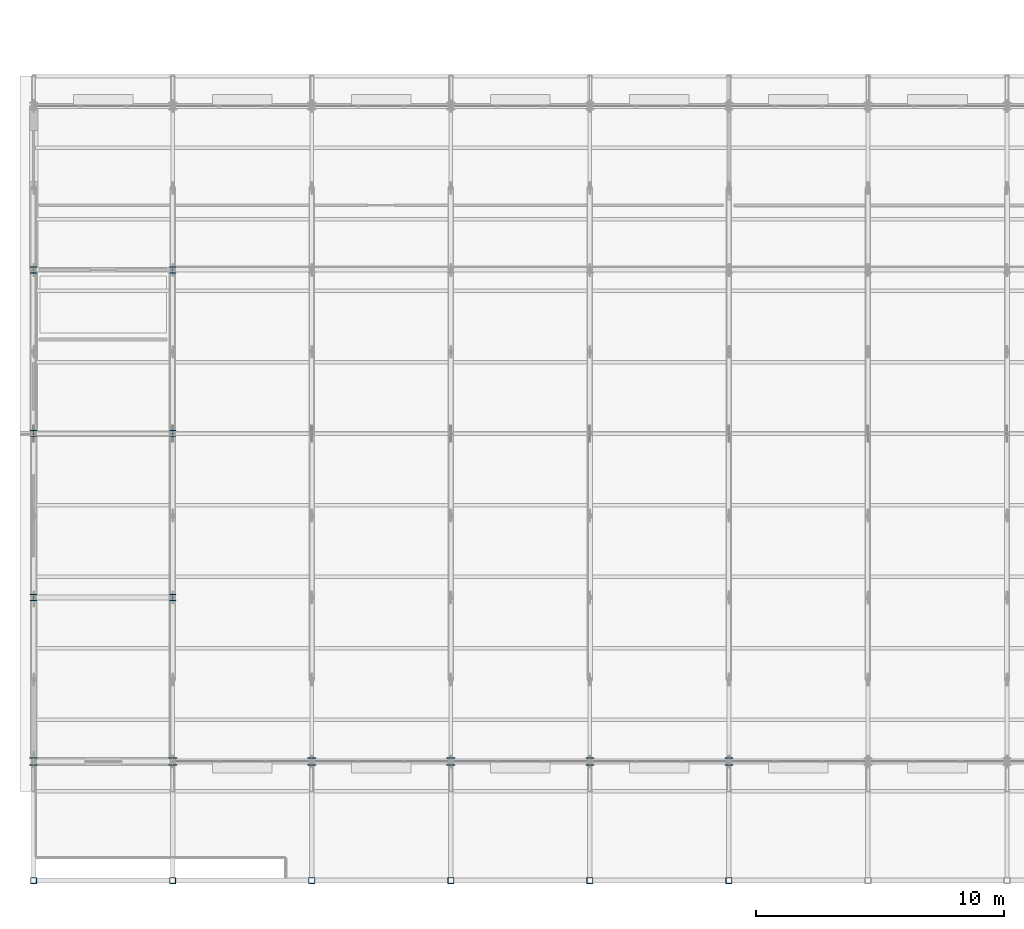
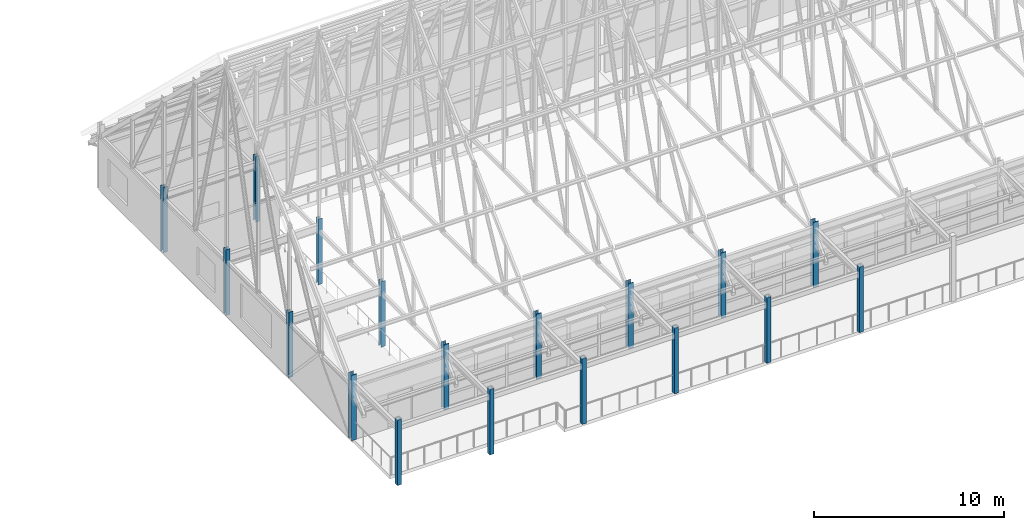
# One storey, part 1 of 144: 18 columns.
"""IFC4 building model written with IfcOpenShell, lengths in metres."""

from ifc_helpers import new_model, si_unit, direction, frame, origin, origin_2d, place, context, subcontext, project, spatial, hollow_rectangle, i_section, extrude, material, material_profile, profile_set, type_object, element, save


model = new_model("IFC4")

# Units and contexts
model_context = context("Model", 3, precision=1e-05, world=origin(), true_north=direction((0.0, 1.0)))
body_context = subcontext(model_context, "Body", "Model", "MODEL_VIEW")
ifc_project = project(units=[si_unit("LENGTHUNIT", "METRE"), si_unit("AREAUNIT", "SQUARE_METRE"), si_unit("VOLUMEUNIT", "CUBIC_METRE"), si_unit("PLANEANGLEUNIT", "RADIAN"), si_unit("MASSUNIT", "GRAM", prefix="KILO")], contexts=[model_context])

# Site, building, storey
site_placement = place(None, origin())
site = spatial("IfcSite", under=ifc_project, at=site_placement, CompositionType="ELEMENT")
building_placement = place(site_placement, origin())
building = spatial("IfcBuilding", under=site, at=building_placement, Name="Trelmorton Wharf Fire Station", CompositionType="ELEMENT")
storey_placement = place(building_placement, frame((0.0, 0.0, 5.39990234375)))
storey = spatial("IfcBuildingStorey", under=building, at=storey_placement, Name="L01", CompositionType="ELEMENT", Elevation=5.39990234375)

# Columns
ifc_material_1 = material(Name="Steel Grade 350", Category="steel")
ifc_material_profile_1 = material_profile(ifc_material_1, i_section(OverallWidth=0.256103515625, OverallDepth=0.260009765625, WebThickness=0.010498046875, FlangeThickness=0.017333984375, FilletRadius=0.0126953125, at=origin_2d()), Name="250UC89.5")
ifc_profile_set_1 = profile_set([ifc_material_profile_1], Name="Steel Grade 350")
column_type_1 = type_object("IfcColumnType", Name="COL_250UC89", PredefinedType="COLUMN", material=ifc_profile_set_1)
for number, where, z_axis, x_axis, name in (
    (1, (0.800048828125, 14.39990234375, 0.0), (0.0, 0.0, 1.0), (1.0, 0.0, 0.0), "COL-L01-0248"),
    (2, (0.800048828125, 21.0, 0.0), (0.0, 0.0, 1.0), (1.0, 0.0, 0.0), "COL-L01-0249"),
    (3, (0.800048828125, 27.60009765625, 0.0), (0.0, 0.0, 1.0), (1.0, 0.0, 0.0), "COL-L01-0250"),
    (4, (6.39990234375, 14.39990234375, 0.0), (0.0, 0.0, 1.0), (1.0, 0.0, 0.0), "COL-L01-0258"),
    (5, (6.39990234375, 21.0, 0.0), (0.0, 0.0, 1.0), (1.0, 0.0, 0.0), "COL-L01-0259"),
    (6, (6.39990234375, 27.60009765625, 0.0), (0.0, 0.0, 1.0), (1.0, 0.0, 0.0), "COL-L01-0260"),
):
    element("IfcColumn", number, at=place(storey_placement, frame(where, z_axis=z_axis, x_axis=x_axis)), inside=storey, type_object=column_type_1, Name=name, PredefinedType="COLUMN", context=body_context, shape_type="SweptSolid", body=[
        extrude(i_section(OverallWidth=0.256103515625, OverallDepth=0.260009765625, WebThickness=0.010498046875, FlangeThickness=0.017333984375, FilletRadius=0.0126953125, at=origin_2d()), origin(), (0.0, 0.0, 1.0), 4.2001953125),
    ])
ifc_material_profile_2 = material_profile(ifc_material_1, i_section(OverallWidth=0.306884765625, OverallDepth=0.31494140625, WebThickness=0.011962890625, FlangeThickness=0.018798828125, FilletRadius=0.0166015625, at=origin_2d()), Name="310UC118")
ifc_profile_set_2 = profile_set([ifc_material_profile_2], Name="Steel Grade 350")
column_type_2 = type_object("IfcColumnType", Name="COL_310UC118", PredefinedType="COLUMN", material=ifc_profile_set_2)
for number, where, z_axis, x_axis, name in (
    (7, (0.800048828125, 7.800048828125, 0.0), (0.0, 0.0, 1.0), (1.0, 0.0, 0.0), "COL-L01-0247"),
    (8, (6.39990234375, 7.800048828125, 0.0), (0.0, 0.0, 1.0), (1.0, 0.0, 0.0), "COL-L01-0257"),
    (9, (12.0, 7.800048828125, 0.0), (0.0, 0.0, 1.0), (1.0, 0.0, 0.0), "COL-L01-0267"),
    (10, (17.60009765625, 7.800048828125, 0.0), (0.0, 0.0, 1.0), (1.0, 0.0, 0.0), "COL-L01-0275"),
    (11, (23.199951171875, 7.800048828125, 0.0), (0.0, 0.0, 1.0), (1.0, 0.0, 0.0), "COL-L01-0283"),
    (12, (28.800048828125, 7.800048828125, 0.0), (0.0, 0.0, 1.0), (1.0, 0.0, 0.0), "COL-L01-0291"),
):
    element("IfcColumn", number, at=place(storey_placement, frame(where, z_axis=z_axis, x_axis=x_axis)), inside=storey, type_object=column_type_2, Name=name, PredefinedType="COLUMN", context=body_context, shape_type="SweptSolid", body=[
        extrude(i_section(OverallWidth=0.306884765625, OverallDepth=0.31494140625, WebThickness=0.011962890625, FlangeThickness=0.018798828125, FilletRadius=0.0166015625, at=origin_2d()), origin(), (0.0, 0.0, 1.0), 4.2001953125),
    ])
ifc_material_2 = material(Name="Signal-red architectural steel Grade 350", Category="steel")
ifc_material_profile_3 = material_profile(ifc_material_2, hollow_rectangle(XDim=0.25, YDim=0.25, WallThickness=0.012451171875, at=origin_2d()), Name="250x250x12.5SHS")
ifc_profile_set_3 = profile_set([ifc_material_profile_3], Name="Signal-red architectural steel Grade 350")
column_type_3 = type_object("IfcColumnType", Name="COL_RED_250SHS", PredefinedType="COLUMN", material=ifc_profile_set_3)
for number, where, z_axis, x_axis, name in (
    (13, (0.800048828125, 3.0, 0.0), (0.0, 0.0, 1.0), (1.0, 0.0, 0.0), "COL-L01-0246"),
    (14, (6.39990234375, 3.0, 0.0), (0.0, 0.0, 1.0), (1.0, 0.0, 0.0), "COL-L01-0256"),
    (15, (12.0, 3.0, 0.0), (0.0, 0.0, 1.0), (1.0, 0.0, 0.0), "COL-L01-0266"),
    (16, (17.60009765625, 3.0, 0.0), (0.0, 0.0, 1.0), (1.0, 0.0, 0.0), "COL-L01-0274"),
    (17, (23.199951171875, 3.0, 0.0), (0.0, 0.0, 1.0), (1.0, 0.0, 0.0), "COL-L01-0282"),
    (18, (28.800048828125, 3.0, 0.0), (0.0, 0.0, 1.0), (1.0, 0.0, 0.0), "COL-L01-0290"),
):
    element("IfcColumn", number, at=place(storey_placement, frame(where, z_axis=z_axis, x_axis=x_axis)), inside=storey, type_object=column_type_3, Name=name, PredefinedType="COLUMN", context=body_context, shape_type="SweptSolid", body=[
        extrude(hollow_rectangle(XDim=0.25, YDim=0.25, WallThickness=0.012451171875, at=origin_2d()), origin(), (0.0, 0.0, 1.0), 4.2001953125),
    ])

save(model, "model.ifc")
